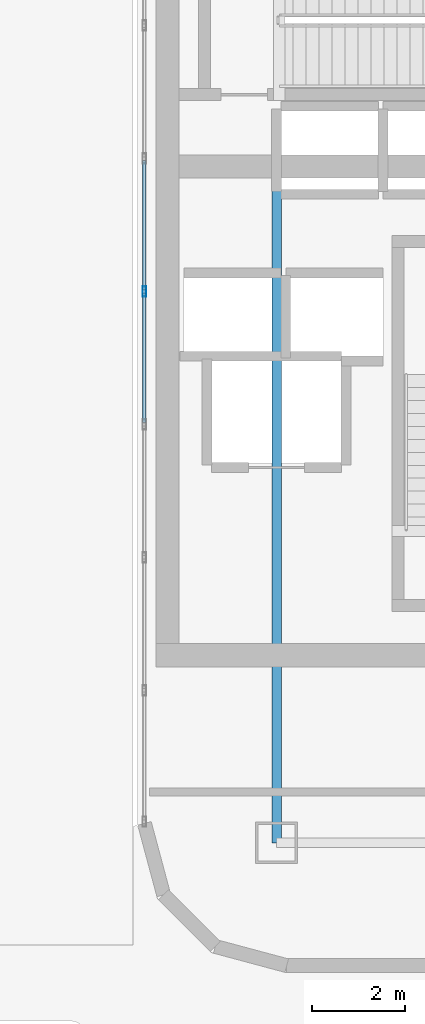
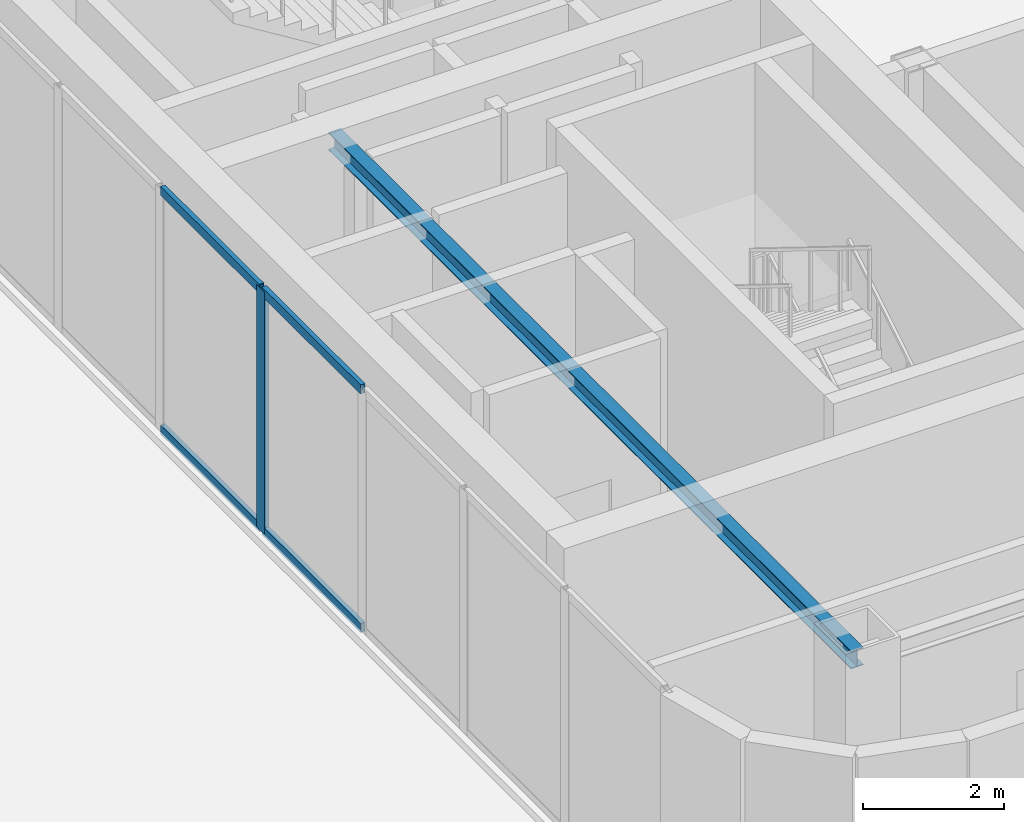
# One storey, part 3 of 14: 5 members, 1 beam, 1 element without a shape of its own.
"""IFC4 building model written with IfcOpenShell, lengths in metres."""

from ifc_helpers import new_model, si_unit, direction, frame, origin, origin_2d, place, context, subcontext, project, spatial, hollow_rectangle, i_section, extrude, material, layer, layer_set, material_profile, profile_set, type_object, element, aggregate, save


model = new_model("IFC4")

# Units and contexts
model_context = context("Model", 3, precision=1e-05, world=origin(), true_north=direction((0.0, 1.0)))
body_context = subcontext(model_context, "Body", "Model", "MODEL_VIEW")
ifc_project = project(units=[si_unit("LENGTHUNIT", "METRE"), si_unit("AREAUNIT", "SQUARE_METRE"), si_unit("VOLUMEUNIT", "CUBIC_METRE"), si_unit("PLANEANGLEUNIT", "RADIAN"), si_unit("MASSUNIT", "GRAM", prefix="KILO")], contexts=[model_context])

# Site, building, storey
site_placement = place(None, origin())
site = spatial("IfcSite", under=ifc_project, at=site_placement, CompositionType="ELEMENT")
building_placement = place(site_placement, origin())
building = spatial("IfcBuilding", under=site, at=building_placement, Name="Kiyonajd Concourse Tower", CompositionType="ELEMENT")
storey_placement = place(building_placement, frame((0.0, 0.0, 354.89990234375)))
storey = spatial("IfcBuildingStorey", under=building, at=storey_placement, Name="L89", CompositionType="ELEMENT", Elevation=354.89990234375)

# Beam
ifc_material_1 = material(Name="Steel ASTM A992 Grade 50", Category="steel")
ifc_material_profile_1 = material_profile(ifc_material_1, i_section(OverallWidth=0.2041015625, OverallDepth=0.305908203125, WebThickness=0.008544921875, FlangeThickness=0.0146484375, at=origin_2d()), Name="W310X67")
ifc_profile_set_1 = profile_set([ifc_material_profile_1], Name="Steel ASTM A992 Grade 50")
beam_type = type_object("IfcBeamType", Name="BM-CRN-310", PredefinedType="BEAM", material=ifc_profile_set_1)
beam_placement = place(storey_placement, frame((56.39990234375, 23.800048828125, 4.007080078125), z_axis=(0.0, 1.0, 0.0), x_axis=(-1.0, 0.0, 0.0)))
element("IfcBeam", 1, at=beam_placement, inside=storey, type_object=beam_type, Name="L89 E Crown Ring Beam 4S", PredefinedType="BEAM", context=body_context, shape_type="SweptSolid", body=[
    extrude(i_section(OverallWidth=0.2041015625, OverallDepth=0.305908203125, WebThickness=0.008544921875, FlangeThickness=0.0146484375, at=origin_2d()), origin(), (0.0, 0.0, 1.0), 14.800048828125),
])

# Curtain wall, members
ifc_material_2 = material(Name="Thermally Broken Anodised Aluminium", Category="aluminium")
ifc_layer = layer(ifc_material_2, 0.179931640625)
ifc_layer_set = layer_set([ifc_layer], Name="Thermally Broken Anodised Aluminium")
curtain_wall_type = type_object("IfcCurtainWallType", Name="CW-SYS-06", PredefinedType="NOTDEFINED", material=ifc_layer_set)
curtain_wall_placement = place(storey_placement, origin())
curtain_wall = element("IfcCurtainWall", 2, at=curtain_wall_placement, inside=storey, type_object=curtain_wall_type, Name="L89 Unitised Curtain Wall CW6", PredefinedType="NOTDEFINED")
ifc_material_profile_2 = material_profile(ifc_material_2, hollow_rectangle(XDim=0.074951171875, YDim=0.219970703125, WallThickness=0.0048828125, at=origin_2d()), Name="MULL-75x220")
ifc_profile_set_2 = profile_set([ifc_material_profile_2], Name="Thermally Broken Anodised Aluminium")
member_type_1 = type_object("IfcMemberType", Name="MB-CW-MULL2", PredefinedType="MULLION", material=ifc_profile_set_2)
member_1_placement = place(storey_placement, frame((53.550048828125, 35.699951171875, 0.0), z_axis=(0.0, 0.0, 1.0), x_axis=(-1.0, 0.0, 0.0)))
member_1 = element("IfcMember", 3, at=member_1_placement, type_object=member_type_1, Name="CW6 mullion 5", PredefinedType="MULLION", context=body_context, shape_type="SweptSolid", body=[
    extrude(hollow_rectangle(XDim=0.074951171875, YDim=0.219970703125, WallThickness=0.0048828125, at=origin_2d()), origin(), (0.0, 0.0, 1.0), 4.2001953125),
])
ifc_material_profile_3 = material_profile(ifc_material_2, hollow_rectangle(XDim=0.074951171875, YDim=0.159912109375, WallThickness=0.0048828125, at=origin_2d()), Name="TRAN-75x160")
ifc_profile_set_3 = profile_set([ifc_material_profile_3], Name="Thermally Broken Anodised Aluminium")
member_type_2 = type_object("IfcMemberType", Name="MB-CW-TRAN2", PredefinedType="USERDEFINED", material=ifc_profile_set_3)
member_2_placement = place(storey_placement, frame((53.550048828125, 32.867431640625, 0.03759765625), z_axis=(0.0, 1.0, 0.0), x_axis=(-1.0, 0.0, 0.0)))
member_2 = element("IfcMember", 4, at=member_2_placement, type_object=member_type_2, Name="CW6 transom 4.1", ObjectType="TRANSOM", PredefinedType="USERDEFINED", context=body_context, shape_type="SweptSolid", body=[
    extrude(hollow_rectangle(XDim=0.074951171875, YDim=0.159912109375, WallThickness=0.0048828125, at=origin_2d()), origin(), (0.0, 0.0, 1.0), 2.795166015625),
])
member_3_placement = place(storey_placement, frame((53.550048828125, 32.867431640625, 4.16259765625), z_axis=(0.0, 1.0, 0.0), x_axis=(-1.0, 0.0, 0.0)))
member_3 = element("IfcMember", 5, at=member_3_placement, type_object=member_type_2, Name="CW6 transom 4.2", ObjectType="TRANSOM", PredefinedType="USERDEFINED", context=body_context, shape_type="SweptSolid", body=[
    extrude(hollow_rectangle(XDim=0.074951171875, YDim=0.159912109375, WallThickness=0.0048828125, at=origin_2d()), origin(), (0.0, 0.0, 1.0), 2.795166015625),
])
member_4_placement = place(storey_placement, frame((53.550048828125, 35.737548828125, 0.03759765625), z_axis=(0.0, 1.0, 0.0), x_axis=(-1.0, 0.0, 0.0)))
member_4 = element("IfcMember", 6, at=member_4_placement, type_object=member_type_2, Name="CW6 transom 5.1", ObjectType="TRANSOM", PredefinedType="USERDEFINED", context=body_context, shape_type="SweptSolid", body=[
    extrude(hollow_rectangle(XDim=0.074951171875, YDim=0.159912109375, WallThickness=0.0048828125, at=origin_2d()), origin(), (0.0, 0.0, 1.0), 2.794921875),
])
member_5_placement = place(storey_placement, frame((53.550048828125, 35.737548828125, 4.16259765625), z_axis=(0.0, 1.0, 0.0), x_axis=(-1.0, 0.0, 0.0)))
member_5 = element("IfcMember", 7, at=member_5_placement, type_object=member_type_2, Name="CW6 transom 5.2", ObjectType="TRANSOM", PredefinedType="USERDEFINED", context=body_context, shape_type="SweptSolid", body=[
    extrude(hollow_rectangle(XDim=0.074951171875, YDim=0.159912109375, WallThickness=0.0048828125, at=origin_2d()), origin(), (0.0, 0.0, 1.0), 2.794921875),
])
aggregate(curtain_wall, [member_1, member_2, member_3, member_4, member_5])

save(model, "model.ifc")
